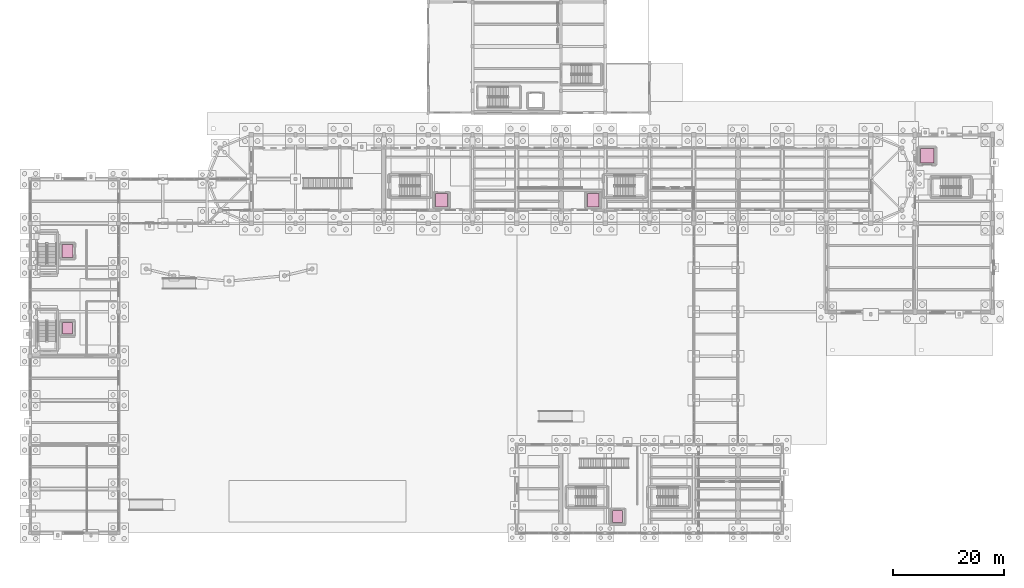
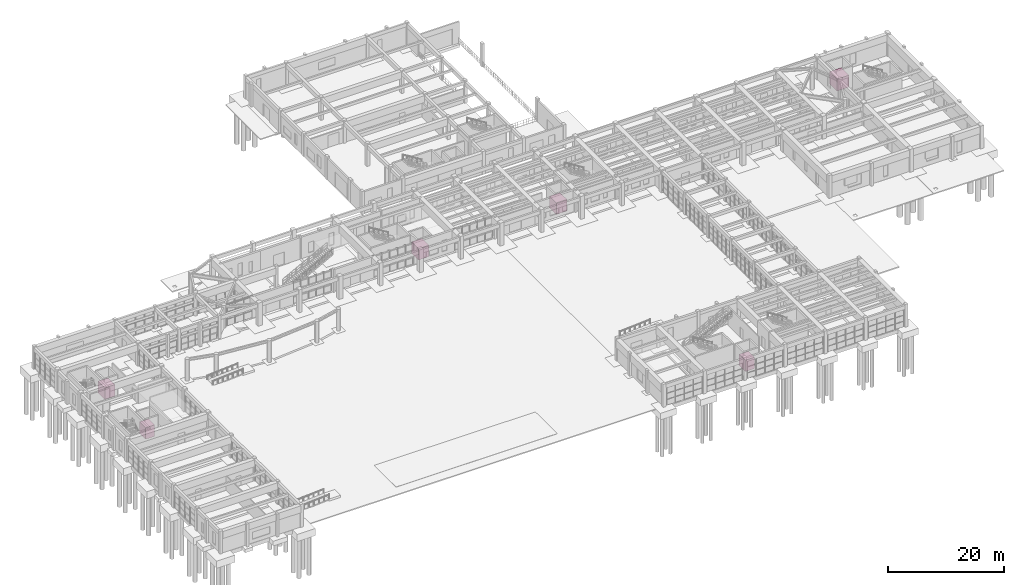
# One storey, part 68 of 68: 6 transport elements.
"""IFC4 building model written with IfcOpenShell, lengths in metres."""

from ifc_helpers import new_model, si_unit, direction, frame, origin, origin_2d, place, context, subcontext, project, spatial, rectangle, extrude, material, type_object, element, save


model = new_model("IFC4")

# Units and contexts
model_context = context("Model", 3, precision=1e-05, world=origin(), true_north=direction((0.0, 1.0)))
body_context = subcontext(model_context, "Body", "Model", "MODEL_VIEW")
ifc_project = project(units=[si_unit("LENGTHUNIT", "METRE"), si_unit("AREAUNIT", "SQUARE_METRE"), si_unit("VOLUMEUNIT", "CUBIC_METRE"), si_unit("PLANEANGLEUNIT", "RADIAN"), si_unit("MASSUNIT", "GRAM", prefix="KILO")], contexts=[model_context])

# Site, building, storey
site_placement = place(None, origin())
site = spatial("IfcSite", under=ifc_project, at=site_placement, CompositionType="ELEMENT")
building_placement = place(site_placement, origin())
building = spatial("IfcBuilding", under=site, at=building_placement, Name="Serraluz Foothill Cableway Terminal", CompositionType="ELEMENT")
storey_placement = place(building_placement, origin())
storey = spatial("IfcBuildingStorey", under=building, at=storey_placement, Name="L00", CompositionType="ELEMENT", Elevation=0.0)

# Transport elements
ifc_material = material(Name="Brushed stainless steel AISI 304", Category="steel")
transport_element_type_1 = type_object("IfcTransportElementType", Name="TYP-LF-FIRE-2100", PredefinedType="ELEVATOR", material=ifc_material)
transport_element_1_placement = place(storey_placement, frame((6.800048828125, 51.0, 0.0), z_axis=(0.0, 0.0, 1.0), x_axis=(1.0, 0.0, 0.0)))
element("IfcTransportElement", 1, at=transport_element_1_placement, inside=storey, type_object=transport_element_type_1, Name="Elevator Car LF-01", PredefinedType="ELEVATOR", context=body_context, shape_type="SweptSolid", body=[
    extrude(rectangle(XDim=2.0, YDim=2.39990234375, at=origin_2d()), origin(), (0.0, 0.0, 1.0), 2.39990234375),
])
transport_element_2_placement = place(storey_placement, frame((74.39990234375, 60.199951171875, 0.0), z_axis=(0.0, 0.0, 1.0), x_axis=(1.0, 0.0, 0.0)))
element("IfcTransportElement", 2, at=transport_element_2_placement, inside=storey, type_object=transport_element_type_1, Name="Elevator Car LF-03", PredefinedType="ELEVATOR", context=body_context, shape_type="SweptSolid", body=[
    extrude(rectangle(XDim=2.10009765625, YDim=2.39990234375, at=origin_2d()), origin(), (0.0, 0.0, 1.0), 2.39990234375),
])
transport_element_type_2 = type_object("IfcTransportElementType", Name="TYP-LF-GOODS-2400", PredefinedType="ELEVATOR", material=ifc_material)
transport_element_3_placement = place(storey_placement, frame((162.199951171875, 68.199951171875, 0.0), z_axis=(0.0, 0.0, 1.0), x_axis=(1.0, 0.0, 0.0)))
element("IfcTransportElement", 3, at=transport_element_3_placement, inside=storey, type_object=transport_element_type_2, Name="Elevator Car LF-05", PredefinedType="ELEVATOR", context=body_context, shape_type="SweptSolid", body=[
    extrude(rectangle(XDim=2.39990234375, YDim=2.60009765625, at=origin_2d()), origin(), (0.0, 0.0, 1.0), 2.5),
])
transport_element_type_3 = type_object("IfcTransportElementType", Name="TYP-LF-PASS-1800", PredefinedType="ELEVATOR", material=ifc_material)
transport_element_4_placement = place(storey_placement, frame((6.800048828125, 37.0, 0.0), z_axis=(0.0, 0.0, 1.0), x_axis=(1.0, 0.0, 0.0)))
element("IfcTransportElement", 4, at=transport_element_4_placement, inside=storey, type_object=transport_element_type_3, Name="Elevator Car LF-02", PredefinedType="ELEVATOR", context=body_context, shape_type="SweptSolid", body=[
    extrude(rectangle(XDim=1.800048828125, YDim=2.10009765625, at=origin_2d()), origin(), (0.0, 0.0, 1.0), 2.39990234375),
])
transport_element_5_placement = place(storey_placement, frame((101.800048828125, 60.199951171875, 0.0), z_axis=(0.0, 0.0, 1.0), x_axis=(1.0, 0.0, 0.0)))
element("IfcTransportElement", 5, at=transport_element_5_placement, inside=storey, type_object=transport_element_type_3, Name="Elevator Car LF-04", PredefinedType="ELEVATOR", context=body_context, shape_type="SweptSolid", body=[
    extrude(rectangle(XDim=2.10009765625, YDim=2.39990234375, at=origin_2d()), origin(), (0.0, 0.0, 1.0), 2.39990234375),
])
transport_element_6_placement = place(storey_placement, frame((106.199951171875, 3.0, 0.0), z_axis=(0.0, 0.0, 1.0), x_axis=(1.0, 0.0, 0.0)))
element("IfcTransportElement", 6, at=transport_element_6_placement, inside=storey, type_object=transport_element_type_3, Name="Elevator Car LF-06", PredefinedType="ELEVATOR", context=body_context, shape_type="SweptSolid", body=[
    extrude(rectangle(XDim=1.800048828125, YDim=2.10009765625, at=origin_2d()), origin(), (0.0, 0.0, 1.0), 2.39990234375),
])

save(model, "model.ifc")
